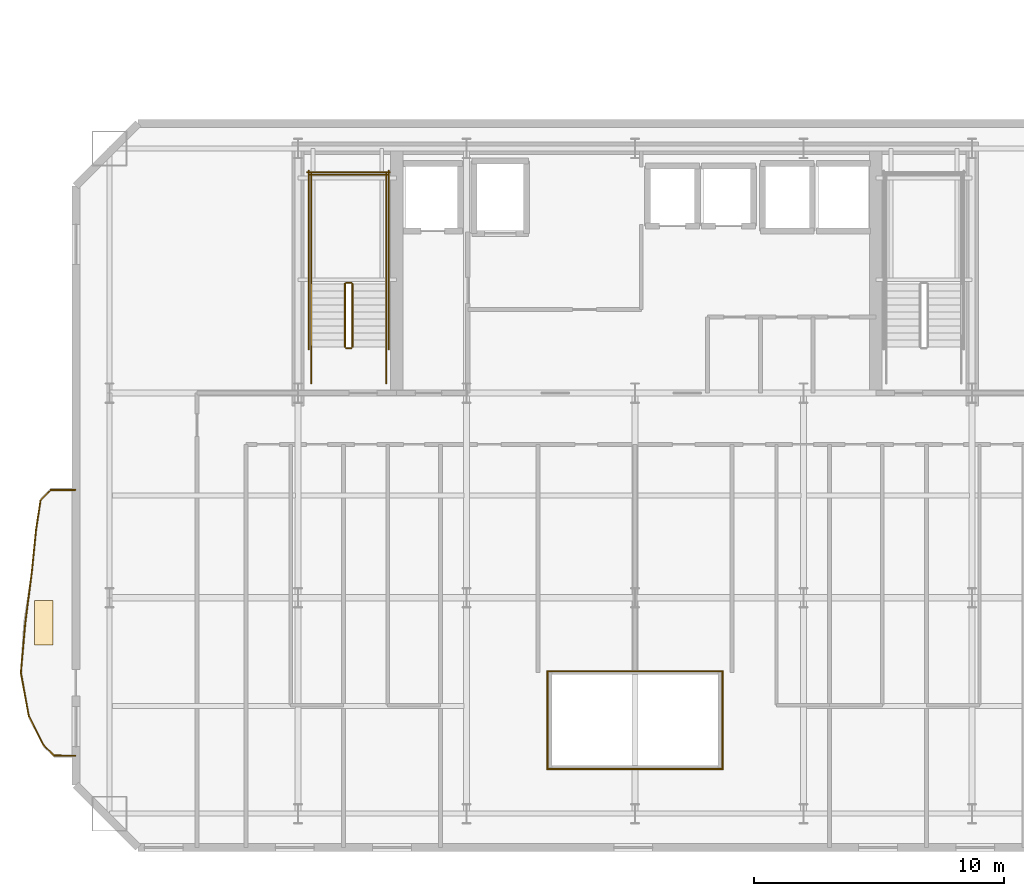
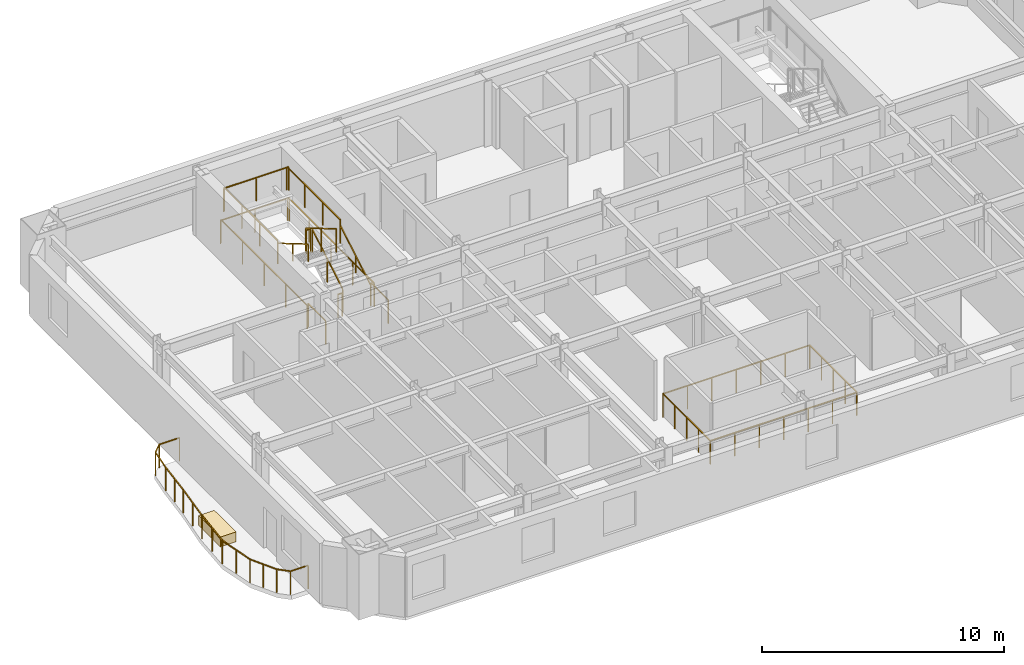
# One storey, part 11 of 14: 28 railings, 1 covering.
"""IFC4 building model written with IfcOpenShell, lengths in metres."""

from ifc_helpers import new_model, si_unit, direction, frame, origin, origin_2d, place, context, subcontext, project, spatial, rectangle, extrude, material, layer, layer_set, type_object, element, save


model = new_model("IFC4")

# Units and contexts
model_context = context("Model", 3, precision=1e-05, world=origin(), true_north=direction((0.0, 1.0)))
body_context = subcontext(model_context, "Body", "Model", "MODEL_VIEW")
ifc_project = project(units=[si_unit("LENGTHUNIT", "METRE"), si_unit("AREAUNIT", "SQUARE_METRE"), si_unit("VOLUMEUNIT", "CUBIC_METRE"), si_unit("PLANEANGLEUNIT", "RADIAN"), si_unit("MASSUNIT", "GRAM", prefix="KILO")], contexts=[model_context])

# Site, building, storey
site_placement = place(None, origin())
site = spatial("IfcSite", under=ifc_project, at=site_placement, CompositionType="ELEMENT")
building_placement = place(site_placement, origin())
building = spatial("IfcBuilding", under=site, at=building_placement, Name="Haevon Station Towers", CompositionType="ELEMENT")
storey_placement = place(building_placement, frame((0.0, 0.0, 119.699951171875)))
storey = spatial("IfcBuildingStorey", under=building, at=storey_placement, Name="L32", CompositionType="ELEMENT", Elevation=119.699951171875)

# Railings
ifc_material_1 = material(Name="Steel S355", Category="steel")
railing_type_1 = type_object("IfcRailingType", Name="BAL-ATR1200", PredefinedType="BALUSTRADE", material=ifc_material_1)
railing_1_placement = place(storey_placement, frame((33.995361328125, 23.141357421875, 0.0)))
element("IfcRailing", 1, at=railing_1_placement, inside=storey, type_object=railing_type_1, Name="L32 Atrium Void Balustrade 1", PredefinedType="BALUSTRADE", context=body_context, shape_type="SweptSolid", body=[
    extrude(rectangle(XDim=0.048095703125, YDim=0.048095703125, at=origin_2d()), frame((0.0, 0.0, 1.17578125), z_axis=(1.0, 0.0, 0.0), x_axis=(0.0, 1.0, 0.0)), (0.0, 0.0, 1.0), 7.00927734375),
    extrude(rectangle(XDim=0.0419921875, YDim=0.0419921875, at=origin_2d()), origin(), (0.0, 0.0, 1.0), 1.15185546875),
    extrude(rectangle(XDim=0.0419921875, YDim=0.0419921875, at=origin_2d()), frame((1.168212890625, 0.0, 0.0)), (0.0, 0.0, 1.0), 1.15185546875),
    extrude(rectangle(XDim=0.0419921875, YDim=0.0419921875, at=origin_2d()), frame((2.33642578125, 0.0, 0.0)), (0.0, 0.0, 1.0), 1.15185546875),
    extrude(rectangle(XDim=0.0419921875, YDim=0.0419921875, at=origin_2d()), frame((3.504638671875, 0.0, 0.0)), (0.0, 0.0, 1.0), 1.15185546875),
    extrude(rectangle(XDim=0.0419921875, YDim=0.0419921875, at=origin_2d()), frame((4.6728515625, 0.0, 0.0)), (0.0, 0.0, 1.0), 1.15185546875),
    extrude(rectangle(XDim=0.0419921875, YDim=0.0419921875, at=origin_2d()), frame((5.841064453125, 0.0, 0.0)), (0.0, 0.0, 1.0), 1.15185546875),
    extrude(rectangle(XDim=0.0419921875, YDim=0.0419921875, at=origin_2d()), frame((7.00927734375, 0.0, 0.0)), (0.0, 0.0, 1.0), 1.15185546875),
])
railing_2_placement = place(storey_placement, frame((41.004638671875, 23.141357421875, 0.0)))
element("IfcRailing", 2, at=railing_2_placement, inside=storey, type_object=railing_type_1, Name="L32 Atrium Void Balustrade 2", PredefinedType="BALUSTRADE", context=body_context, shape_type="SweptSolid", body=[
    extrude(rectangle(XDim=0.048095703125, YDim=0.048095703125, at=origin_2d()), frame((0.0, 0.0, 1.17578125), z_axis=(0.0, 1.0, 0.0), x_axis=(-1.0, 0.0, 0.0)), (0.0, 0.0, 1.0), 3.917236328125),
    extrude(rectangle(XDim=0.0419921875, YDim=0.0419921875, at=origin_2d()), origin(), (0.0, 0.0, 1.0), 1.15185546875),
    extrude(rectangle(XDim=0.0419921875, YDim=0.0419921875, at=origin_2d()), frame((0.0, 0.979248046875, 0.0)), (0.0, 0.0, 1.0), 1.15185546875),
    extrude(rectangle(XDim=0.0419921875, YDim=0.0419921875, at=origin_2d()), frame((0.0, 1.95849609375, 0.0)), (0.0, 0.0, 1.0), 1.15185546875),
    extrude(rectangle(XDim=0.0419921875, YDim=0.0419921875, at=origin_2d()), frame((0.0, 2.93798828125, 0.0)), (0.0, 0.0, 1.0), 1.15185546875),
    extrude(rectangle(XDim=0.0419921875, YDim=0.0419921875, at=origin_2d()), frame((0.0, 3.917236328125, 0.0)), (0.0, 0.0, 1.0), 1.15185546875),
])
railing_3_placement = place(storey_placement, frame((41.004638671875, 27.05859375, 0.0)))
element("IfcRailing", 3, at=railing_3_placement, inside=storey, type_object=railing_type_1, Name="L32 Atrium Void Balustrade 3", PredefinedType="BALUSTRADE", context=body_context, shape_type="SweptSolid", body=[
    extrude(rectangle(XDim=0.048095703125, YDim=0.048095703125, at=origin_2d()), frame((0.0, 0.0, 1.17578125), z_axis=(-1.0, 0.0, 0.0), x_axis=(0.0, -1.0, 0.0)), (0.0, 0.0, 1.0), 7.00927734375),
    extrude(rectangle(XDim=0.0419921875, YDim=0.0419921875, at=origin_2d()), origin(), (0.0, 0.0, 1.0), 1.15185546875),
    extrude(rectangle(XDim=0.0419921875, YDim=0.0419921875, at=origin_2d()), frame((-1.168212890625, 0.0, 0.0)), (0.0, 0.0, 1.0), 1.15185546875),
    extrude(rectangle(XDim=0.0419921875, YDim=0.0419921875, at=origin_2d()), frame((-2.33642578125, 0.0, 0.0)), (0.0, 0.0, 1.0), 1.15185546875),
    extrude(rectangle(XDim=0.0419921875, YDim=0.0419921875, at=origin_2d()), frame((-3.504638671875, 0.0, 0.0)), (0.0, 0.0, 1.0), 1.15185546875),
    extrude(rectangle(XDim=0.0419921875, YDim=0.0419921875, at=origin_2d()), frame((-4.6728515625, 0.0, 0.0)), (0.0, 0.0, 1.0), 1.15185546875),
    extrude(rectangle(XDim=0.0419921875, YDim=0.0419921875, at=origin_2d()), frame((-5.841064453125, 0.0, 0.0)), (0.0, 0.0, 1.0), 1.15185546875),
    extrude(rectangle(XDim=0.0419921875, YDim=0.0419921875, at=origin_2d()), frame((-7.00927734375, 0.0, 0.0)), (0.0, 0.0, 1.0), 1.15185546875),
])
railing_4_placement = place(storey_placement, frame((33.995361328125, 27.05859375, 0.0)))
element("IfcRailing", 4, at=railing_4_placement, inside=storey, type_object=railing_type_1, Name="L32 Atrium Void Balustrade 4", PredefinedType="BALUSTRADE", context=body_context, shape_type="SweptSolid", body=[
    extrude(rectangle(XDim=0.048095703125, YDim=0.048095703125, at=origin_2d()), frame((0.0, 0.0, 1.17578125), z_axis=(0.0, -1.0, 0.0), x_axis=(1.0, 0.0, 0.0)), (0.0, 0.0, 1.0), 3.917236328125),
    extrude(rectangle(XDim=0.0419921875, YDim=0.0419921875, at=origin_2d()), origin(), (0.0, 0.0, 1.0), 1.15185546875),
    extrude(rectangle(XDim=0.0419921875, YDim=0.0419921875, at=origin_2d()), frame((0.0, -0.979248046875, 0.0)), (0.0, 0.0, 1.0), 1.15185546875),
    extrude(rectangle(XDim=0.0419921875, YDim=0.0419921875, at=origin_2d()), frame((0.0, -1.95849609375, 0.0)), (0.0, 0.0, 1.0), 1.15185546875),
    extrude(rectangle(XDim=0.0419921875, YDim=0.0419921875, at=origin_2d()), frame((0.0, -2.93798828125, 0.0)), (0.0, 0.0, 1.0), 1.15185546875),
    extrude(rectangle(XDim=0.0419921875, YDim=0.0419921875, at=origin_2d()), frame((0.0, -3.917236328125, 0.0)), (0.0, 0.0, 1.0), 1.15185546875),
])
railing_type_2 = type_object("IfcRailingType", Name="GRD-EXT1200", PredefinedType="GUARDRAIL", material=ifc_material_1)
railing_5_placement = place(storey_placement, frame((15.076416015625, 34.322265625, 0.0)))
element("IfcRailing", 5, at=railing_5_placement, inside=storey, type_object=railing_type_2, Name="L32 Perimeter Guardrail 1", PredefinedType="GUARDRAIL", context=body_context, shape_type="SweptSolid", body=[
    extrude(rectangle(XDim=0.048095703125, YDim=0.048095703125, at=origin_2d()), frame((0.0, 0.0, 1.17578125), z_axis=(-0.999997457331, -0.002255068182, 0.0), x_axis=(0.002255068182, -0.999997457331, 0.0)), (0.0, 0.0, 1.0), 0.974365234375),
    extrude(rectangle(XDim=0.0419921875, YDim=0.0419921875, at=origin_2d()), origin(), (0.0, 0.0, 1.0), 1.15185546875),
    extrude(rectangle(XDim=0.0419921875, YDim=0.0419921875, at=origin_2d()), frame((-0.974365234375, -0.002197265625, 0.0)), (0.0, 0.0, 1.0), 1.15185546875),
])
railing_6_placement = place(storey_placement, frame((14.10205078125, 34.320068359375, 0.0)))
element("IfcRailing", 6, at=railing_6_placement, inside=storey, type_object=railing_type_2, Name="L32 Perimeter Guardrail 2", PredefinedType="GUARDRAIL", context=body_context, shape_type="SweptSolid", body=[
    extrude(rectangle(XDim=0.048095703125, YDim=0.048095703125, at=origin_2d()), frame((0.0, 0.0, 1.17578125), z_axis=(-0.710855721551, -0.703337858456, 0.0), x_axis=(0.703337858456, -0.710855721551, 0.0)), (0.0, 0.0, 1.0), 0.58447265625),
    extrude(rectangle(XDim=0.0419921875, YDim=0.0419921875, at=origin_2d()), origin(), (0.0, 0.0, 1.0), 1.15185546875),
    extrude(rectangle(XDim=0.0419921875, YDim=0.0419921875, at=origin_2d()), frame((-0.41552734375, -0.4111328125, 0.0)), (0.0, 0.0, 1.0), 1.15185546875),
])
railing_7_placement = place(storey_placement, frame((13.6865234375, 33.908935546875, 0.0)))
element("IfcRailing", 7, at=railing_7_placement, inside=storey, type_object=railing_type_2, Name="L32 Perimeter Guardrail 3", PredefinedType="GUARDRAIL", context=body_context, shape_type="SweptSolid", body=[
    extrude(rectangle(XDim=0.048095703125, YDim=0.048095703125, at=origin_2d()), frame((0.0, 0.0, 1.17578125), z_axis=(-0.151545873125, -0.988450225524, 0.0), x_axis=(0.988450225524, -0.151545873125, 0.0)), (0.0, 0.0, 1.0), 1.18408203125),
    extrude(rectangle(XDim=0.0419921875, YDim=0.0419921875, at=origin_2d()), origin(), (0.0, 0.0, 1.0), 1.15185546875),
    extrude(rectangle(XDim=0.0419921875, YDim=0.0419921875, at=origin_2d()), frame((-0.179443359375, -1.17041015625, 0.0)), (0.0, 0.0, 1.0), 1.15185546875),
])
railing_8_placement = place(storey_placement, frame((13.507080078125, 32.738525390625, 0.0)))
element("IfcRailing", 8, at=railing_8_placement, inside=storey, type_object=railing_type_2, Name="L32 Perimeter Guardrail 4", PredefinedType="GUARDRAIL", context=body_context, shape_type="SweptSolid", body=[
    extrude(rectangle(XDim=0.048095703125, YDim=0.048095703125, at=origin_2d()), frame((0.0, 0.0, 1.17578125), z_axis=(-0.100369612016, -0.994950220355, 0.0), x_axis=(0.994950220355, -0.100369612016, 0.0)), (0.0, 0.0, 1.0), 1.758544921875),
    extrude(rectangle(XDim=0.0419921875, YDim=0.0419921875, at=origin_2d()), origin(), (0.0, 0.0, 1.0), 1.15185546875),
    extrude(rectangle(XDim=0.0419921875, YDim=0.0419921875, at=origin_2d()), frame((-0.08837890625, -0.875, 0.0)), (0.0, 0.0, 1.0), 1.15185546875),
    extrude(rectangle(XDim=0.0419921875, YDim=0.0419921875, at=origin_2d()), frame((-0.176513671875, -1.749755859375, 0.0)), (0.0, 0.0, 1.0), 1.15185546875),
])
railing_9_placement = place(storey_placement, frame((13.33056640625, 30.98876953125, 0.0)))
element("IfcRailing", 9, at=railing_9_placement, inside=storey, type_object=railing_type_2, Name="L32 Perimeter Guardrail 5", PredefinedType="GUARDRAIL", context=body_context, shape_type="SweptSolid", body=[
    extrude(rectangle(XDim=0.048095703125, YDim=0.048095703125, at=origin_2d()), frame((0.0, 0.0, 1.17578125), z_axis=(-0.127480675673, -0.991841054469, 0.0), x_axis=(0.991841054469, -0.127480675673, 0.0)), (0.0, 0.0, 1.0), 2.005126953125),
    extrude(rectangle(XDim=0.0419921875, YDim=0.0419921875, at=origin_2d()), origin(), (0.0, 0.0, 1.0), 1.15185546875),
    extrude(rectangle(XDim=0.0419921875, YDim=0.0419921875, at=origin_2d()), frame((-0.1279296875, -0.994384765625, 0.0)), (0.0, 0.0, 1.0), 1.15185546875),
    extrude(rectangle(XDim=0.0419921875, YDim=0.0419921875, at=origin_2d()), frame((-0.255615234375, -1.98876953125, 0.0)), (0.0, 0.0, 1.0), 1.15185546875),
])
railing_10_placement = place(storey_placement, frame((13.074951171875, 29.0, 0.0)))
element("IfcRailing", 10, at=railing_10_placement, inside=storey, type_object=railing_type_2, Name="L32 Perimeter Guardrail 6", PredefinedType="GUARDRAIL", context=body_context, shape_type="SweptSolid", body=[
    extrude(rectangle(XDim=0.048095703125, YDim=0.048095703125, at=origin_2d()), frame((0.0, 0.0, 1.17578125), z_axis=(-0.088918972693, -0.996038862844, 0.0), x_axis=(0.996038862844, -0.088918972693, 0.0)), (0.0, 0.0, 1.0), 2.00146484375),
    extrude(rectangle(XDim=0.0419921875, YDim=0.0419921875, at=origin_2d()), origin(), (0.0, 0.0, 1.0), 1.15185546875),
    extrude(rectangle(XDim=0.0419921875, YDim=0.0419921875, at=origin_2d()), frame((-0.0888671875, -0.996826171875, 0.0)), (0.0, 0.0, 1.0), 1.15185546875),
    extrude(rectangle(XDim=0.0419921875, YDim=0.0419921875, at=origin_2d()), frame((-0.177978515625, -1.99365234375, 0.0)), (0.0, 0.0, 1.0), 1.15185546875),
])
railing_11_placement = place(storey_placement, frame((12.89697265625, 27.00634765625, 0.0)))
element("IfcRailing", 11, at=railing_11_placement, inside=storey, type_object=railing_type_2, Name="L32 Perimeter Guardrail 7", PredefinedType="GUARDRAIL", context=body_context, shape_type="SweptSolid", body=[
    extrude(rectangle(XDim=0.048095703125, YDim=0.048095703125, at=origin_2d()), frame((0.0, 0.0, 1.17578125), z_axis=(0.179418162839, -0.983772902068, 0.0), x_axis=(0.983772902068, 0.179418162839, 0.0)), (0.0, 0.0, 1.0), 1.7744140625),
    extrude(rectangle(XDim=0.0419921875, YDim=0.0419921875, at=origin_2d()), origin(), (0.0, 0.0, 1.0), 1.15185546875),
    extrude(rectangle(XDim=0.0419921875, YDim=0.0419921875, at=origin_2d()), frame((0.1591796875, -0.872802734375, 0.0)), (0.0, 0.0, 1.0), 1.15185546875),
    extrude(rectangle(XDim=0.0419921875, YDim=0.0419921875, at=origin_2d()), frame((0.318359375, -1.74560546875, 0.0)), (0.0, 0.0, 1.0), 1.15185546875),
])
railing_12_placement = place(storey_placement, frame((13.21533203125, 25.2607421875, 0.0)))
element("IfcRailing", 12, at=railing_12_placement, inside=storey, type_object=railing_type_2, Name="L32 Perimeter Guardrail 8", PredefinedType="GUARDRAIL", context=body_context, shape_type="SweptSolid", body=[
    extrude(rectangle(XDim=0.048095703125, YDim=0.048095703125, at=origin_2d()), frame((0.0, 0.0, 1.17578125), z_axis=(0.452787965093, -0.891618224728, 0.0), x_axis=(0.891618224728, 0.452787965093, 0.0)), (0.0, 0.0, 1.0), 1.311767578125),
    extrude(rectangle(XDim=0.0419921875, YDim=0.0419921875, at=origin_2d()), origin(), (0.0, 0.0, 1.0), 1.15185546875),
    extrude(rectangle(XDim=0.0419921875, YDim=0.0419921875, at=origin_2d()), frame((0.296875, -0.5849609375, 0.0)), (0.0, 0.0, 1.0), 1.15185546875),
    extrude(rectangle(XDim=0.0419921875, YDim=0.0419921875, at=origin_2d()), frame((0.593994140625, -1.169677734375, 0.0)), (0.0, 0.0, 1.0), 1.15185546875),
])
railing_13_placement = place(storey_placement, frame((13.809326171875, 24.091064453125, 0.0)))
element("IfcRailing", 13, at=railing_13_placement, inside=storey, type_object=railing_type_2, Name="L32 Perimeter Guardrail 9", PredefinedType="GUARDRAIL", context=body_context, shape_type="SweptSolid", body=[
    extrude(rectangle(XDim=0.048095703125, YDim=0.048095703125, at=origin_2d()), frame((0.0, 0.0, 1.17578125), z_axis=(0.721936917326, -0.691958876959, 0.0), x_axis=(0.691958876959, 0.721936917326, 0.0)), (0.0, 0.0, 1.0), 0.594482421875),
    extrude(rectangle(XDim=0.0419921875, YDim=0.0419921875, at=origin_2d()), origin(), (0.0, 0.0, 1.0), 1.15185546875),
    extrude(rectangle(XDim=0.0419921875, YDim=0.0419921875, at=origin_2d()), frame((0.42919921875, -0.411376953125, 0.0)), (0.0, 0.0, 1.0), 1.15185546875),
])
railing_14_placement = place(storey_placement, frame((14.238525390625, 23.6796875, 0.0)))
element("IfcRailing", 14, at=railing_14_placement, inside=storey, type_object=railing_type_2, Name="L32 Perimeter Guardrail 10", PredefinedType="GUARDRAIL", context=body_context, shape_type="SweptSolid", body=[
    extrude(rectangle(XDim=0.048095703125, YDim=0.048095703125, at=origin_2d()), frame((0.0, 0.0, 1.17578125), z_axis=(0.999997283225, -0.002330995998, 0.0), x_axis=(0.002330995998, 0.999997283225, 0.0)), (0.0, 0.0, 1.0), 0.837890625),
    extrude(rectangle(XDim=0.0419921875, YDim=0.0419921875, at=origin_2d()), origin(), (0.0, 0.0, 1.0), 1.15185546875),
    extrude(rectangle(XDim=0.0419921875, YDim=0.0419921875, at=origin_2d()), frame((0.837890625, -0.001953125, 0.0)), (0.0, 0.0, 1.0), 1.15185546875),
])
railing_type_3 = type_object("IfcRailingType", Name="GRD-STR1200", PredefinedType="GUARDRAIL", material=ifc_material_1)
railing_15_placement = place(storey_placement, frame((26.179931640625, 40.050048828125, 0.1650390625)))
element("IfcRailing", 15, at=railing_15_placement, inside=storey, type_object=railing_type_3, Name="L32 ST1 Stair Guard 1", PredefinedType="GUARDRAIL", context=body_context, shape_type="SweptSolid", body=[
    extrude(rectangle(XDim=0.048095703125, YDim=0.048095703125, at=origin_2d()), frame((0.0, 0.0, 1.17578125), z_axis=(0.0, 0.86152411907, 0.507716645641), x_axis=(-1.0, 0.0, 0.0)), (0.0, 0.0, 1.0), 2.925048828125),
    extrude(rectangle(XDim=0.0419921875, YDim=0.0419921875, at=origin_2d()), origin(), (0.0, 0.0, 1.0), 1.15185546875),
    extrude(rectangle(XDim=0.0419921875, YDim=0.0419921875, at=origin_2d()), frame((0.0, 1.260009765625, 0.74267578125)), (0.0, 0.0, 1.0), 1.15185546875),
    extrude(rectangle(XDim=0.0419921875, YDim=0.0419921875, at=origin_2d()), frame((0.0, 2.52001953125, 1.485107421875)), (0.0, 0.0, 1.0), 1.15185546875),
])
railing_16_placement = place(storey_placement, frame((26.1298828125, 42.6201171875, 1.650146484375)))
element("IfcRailing", 16, at=railing_16_placement, inside=storey, type_object=railing_type_3, Name="L32 ST1 Stair Guard 2", PredefinedType="GUARDRAIL", context=body_context, shape_type="SweptSolid", body=[
    extrude(rectangle(XDim=0.048095703125, YDim=0.048095703125, at=origin_2d()), frame((0.0, 0.0, 1.17578125), z_axis=(-1.0, 0.0, 0.0), x_axis=(0.0, -1.0, 0.0)), (0.0, 0.0, 1.0), 0.199951171875),
    extrude(rectangle(XDim=0.0419921875, YDim=0.0419921875, at=origin_2d()), origin(), (0.0, 0.0, 1.0), 1.15185546875),
    extrude(rectangle(XDim=0.0419921875, YDim=0.0419921875, at=origin_2d()), frame((-0.199951171875, 0.0, 0.0)), (0.0, 0.0, 1.0), 1.15185546875),
])
for number, where, name in (
    (17, (27.530029296875, 42.570068359375, 1.650146484375), "L32 ST1 Stair Guard 3"),
    (18, (24.530029296875, 42.570068359375, 1.650146484375), "L32 ST1 Stair Guard 4"),
):
    element("IfcRailing", number, at=place(storey_placement, frame(where)), inside=storey, type_object=railing_type_3, Name=name, PredefinedType="GUARDRAIL", context=body_context, shape_type="SweptSolid", body=[
        extrude(rectangle(XDim=0.048095703125, YDim=0.048095703125, at=origin_2d()), frame((0.0, 0.0, 1.17578125), z_axis=(0.0, 1.0, 0.0), x_axis=(-1.0, 0.0, 0.0)), (0.0, 0.0, 1.0), 4.429931640625),
        extrude(rectangle(XDim=0.0419921875, YDim=0.0419921875, at=origin_2d()), origin(), (0.0, 0.0, 1.0), 1.15185546875),
        extrude(rectangle(XDim=0.0419921875, YDim=0.0419921875, at=origin_2d()), frame((0.0, 1.4765625, 0.0)), (0.0, 0.0, 1.0), 1.15185546875),
        extrude(rectangle(XDim=0.0419921875, YDim=0.0419921875, at=origin_2d()), frame((0.0, 2.953369140625, 0.0)), (0.0, 0.0, 1.0), 1.15185546875),
        extrude(rectangle(XDim=0.0419921875, YDim=0.0419921875, at=origin_2d()), frame((0.0, 4.429931640625, 0.0)), (0.0, 0.0, 1.0), 1.15185546875),
    ])
railing_17_placement = place(storey_placement, frame((27.580078125, 46.949951171875, 1.650146484375)))
element("IfcRailing", 19, at=railing_17_placement, inside=storey, type_object=railing_type_3, Name="L32 ST1 Stair Guard 5", PredefinedType="GUARDRAIL", context=body_context, shape_type="SweptSolid", body=[
    extrude(rectangle(XDim=0.048095703125, YDim=0.048095703125, at=origin_2d()), frame((0.0, 0.0, 1.17578125), z_axis=(-1.0, 0.0, 0.0), x_axis=(0.0, -1.0, 0.0)), (0.0, 0.0, 1.0), 3.10009765625),
    extrude(rectangle(XDim=0.0419921875, YDim=0.0419921875, at=origin_2d()), origin(), (0.0, 0.0, 1.0), 1.15185546875),
    extrude(rectangle(XDim=0.0419921875, YDim=0.0419921875, at=origin_2d()), frame((-1.550048828125, 0.0, 0.0)), (0.0, 0.0, 1.0), 1.15185546875),
    extrude(rectangle(XDim=0.0419921875, YDim=0.0419921875, at=origin_2d()), frame((-3.10009765625, 0.0, 0.0)), (0.0, 0.0, 1.0), 1.15185546875),
])
railing_18_placement = place(storey_placement, frame((25.8798828125, 42.570068359375, 1.81494140625)))
element("IfcRailing", 20, at=railing_18_placement, inside=storey, type_object=railing_type_3, Name="L32 ST1 Stair Guard 6", PredefinedType="GUARDRAIL", context=body_context, shape_type="SweptSolid", body=[
    extrude(rectangle(XDim=0.048095703125, YDim=0.048095703125, at=origin_2d()), frame((0.0, 0.0, 1.17578125), z_axis=(0.0, -0.86152411907, 0.507716645641), x_axis=(1.0, 0.0, 0.0)), (0.0, 0.0, 1.0), 2.925048828125),
    extrude(rectangle(XDim=0.0419921875, YDim=0.0419921875, at=origin_2d()), origin(), (0.0, 0.0, 1.0), 1.15185546875),
    extrude(rectangle(XDim=0.0419921875, YDim=0.0419921875, at=origin_2d()), frame((0.0, -1.260009765625, 0.74267578125)), (0.0, 0.0, 1.0), 1.15185546875),
    extrude(rectangle(XDim=0.0419921875, YDim=0.0419921875, at=origin_2d()), frame((0.0, -2.52001953125, 1.485107421875)), (0.0, 0.0, 1.0), 1.15185546875),
])
railing_19_placement = place(storey_placement, frame((26.1298828125, 40.0, 0.0)))
element("IfcRailing", 21, at=railing_19_placement, inside=storey, type_object=railing_type_3, Name="L32 ST1 Stair Guard 7", PredefinedType="GUARDRAIL", context=body_context, shape_type="SweptSolid", body=[
    extrude(rectangle(XDim=0.048095703125, YDim=0.048095703125, at=origin_2d()), frame((0.0, 0.0, 1.17578125), z_axis=(-1.0, 0.0, 0.0), x_axis=(0.0, -1.0, 0.0)), (0.0, 0.0, 1.0), 0.199951171875),
    extrude(rectangle(XDim=0.0419921875, YDim=0.0419921875, at=origin_2d()), origin(), (0.0, 0.0, 1.0), 1.15185546875),
    extrude(rectangle(XDim=0.0419921875, YDim=0.0419921875, at=origin_2d()), frame((-0.199951171875, 0.0, 0.0)), (0.0, 0.0, 1.0), 1.15185546875),
])
for number, where, name in (
    (22, (27.530029296875, 38.60009765625, 0.0), "L32 ST1 Stair Guard 8"),
    (23, (24.530029296875, 38.60009765625, 0.0), "L32 ST1 Stair Guard 9"),
):
    element("IfcRailing", number, at=place(storey_placement, frame(where)), inside=storey, type_object=railing_type_3, Name=name, PredefinedType="GUARDRAIL", context=body_context, shape_type="SweptSolid", body=[
        extrude(rectangle(XDim=0.048095703125, YDim=0.048095703125, at=origin_2d()), frame((0.0, 0.0, 1.17578125), z_axis=(0.0, 1.0, 0.0), x_axis=(-1.0, 0.0, 0.0)), (0.0, 0.0, 1.0), 1.449951171875),
        extrude(rectangle(XDim=0.0419921875, YDim=0.0419921875, at=origin_2d()), origin(), (0.0, 0.0, 1.0), 1.15185546875),
        extrude(rectangle(XDim=0.0419921875, YDim=0.0419921875, at=origin_2d()), frame((0.0, 1.449951171875, 0.0)), (0.0, 0.0, 1.0), 1.15185546875),
    ])
for number, where, name in (
    (24, (27.6298828125, 39.949951171875, 0.0), "L32 ST1 Stair Guard 10"),
    (25, (24.429931640625, 39.949951171875, 0.0), "L32 ST1 Stair Guard 11"),
):
    element("IfcRailing", number, at=place(storey_placement, frame(where)), inside=storey, type_object=railing_type_3, Name=name, PredefinedType="GUARDRAIL", context=body_context, shape_type="SweptSolid", body=[
        extrude(rectangle(XDim=0.048095703125, YDim=0.048095703125, at=origin_2d()), frame((0.0, 0.0, 1.17578125), z_axis=(0.0, 1.0, 0.0), x_axis=(-1.0, 0.0, 0.0)), (0.0, 0.0, 1.0), 7.150146484375),
        extrude(rectangle(XDim=0.0419921875, YDim=0.0419921875, at=origin_2d()), origin(), (0.0, 0.0, 1.0), 1.15185546875),
        extrude(rectangle(XDim=0.0419921875, YDim=0.0419921875, at=origin_2d()), frame((0.0, 1.78759765625, 0.0)), (0.0, 0.0, 1.0), 1.15185546875),
        extrude(rectangle(XDim=0.0419921875, YDim=0.0419921875, at=origin_2d()), frame((0.0, 3.5751953125, 0.0)), (0.0, 0.0, 1.0), 1.15185546875),
        extrude(rectangle(XDim=0.0419921875, YDim=0.0419921875, at=origin_2d()), frame((0.0, 5.362548828125, 0.0)), (0.0, 0.0, 1.0), 1.15185546875),
        extrude(rectangle(XDim=0.0419921875, YDim=0.0419921875, at=origin_2d()), frame((0.0, 7.150146484375, 0.0)), (0.0, 0.0, 1.0), 1.15185546875),
    ])
railing_20_placement = place(storey_placement, frame((27.679931640625, 47.050048828125, 0.0)))
element("IfcRailing", 26, at=railing_20_placement, inside=storey, type_object=railing_type_3, Name="L32 ST1 Stair Guard 12", PredefinedType="GUARDRAIL", context=body_context, shape_type="SweptSolid", body=[
    extrude(rectangle(XDim=0.048095703125, YDim=0.048095703125, at=origin_2d()), frame((0.0, 0.0, 1.17578125), z_axis=(-1.0, 0.0, 0.0), x_axis=(0.0, -1.0, 0.0)), (0.0, 0.0, 1.0), 3.300048828125),
    extrude(rectangle(XDim=0.0419921875, YDim=0.0419921875, at=origin_2d()), origin(), (0.0, 0.0, 1.0), 1.15185546875),
    extrude(rectangle(XDim=0.0419921875, YDim=0.0419921875, at=origin_2d()), frame((-1.64990234375, 0.0, 0.0)), (0.0, 0.0, 1.0), 1.15185546875),
    extrude(rectangle(XDim=0.0419921875, YDim=0.0419921875, at=origin_2d()), frame((-3.300048828125, 0.0, 0.0)), (0.0, 0.0, 1.0), 1.15185546875),
])
railing_type_4 = type_object("IfcRailingType", Name="HND-STR900", PredefinedType="HANDRAIL", material=ifc_material_1)
railing_21_placement = place(storey_placement, frame((27.530029296875, 40.050048828125, 0.1650390625)))
element("IfcRailing", 27, at=railing_21_placement, inside=storey, type_object=railing_type_4, Name="L32 ST1 Stair Handrail 1", PredefinedType="HANDRAIL", context=body_context, shape_type="SweptSolid", body=[
    extrude(rectangle(XDim=0.048095703125, YDim=0.048095703125, at=origin_2d()), frame((0.0, 0.0, 0.8759765625), z_axis=(0.0, 0.86152411907, 0.507716645641), x_axis=(-1.0, 0.0, 0.0)), (0.0, 0.0, 1.0), 2.925048828125),
    extrude(rectangle(XDim=0.0419921875, YDim=0.0419921875, at=origin_2d()), origin(), (0.0, 0.0, 1.0), 0.851806640625),
    extrude(rectangle(XDim=0.0419921875, YDim=0.0419921875, at=origin_2d()), frame((0.0, 1.260009765625, 0.74267578125)), (0.0, 0.0, 1.0), 0.851806640625),
    extrude(rectangle(XDim=0.0419921875, YDim=0.0419921875, at=origin_2d()), frame((0.0, 2.52001953125, 1.485107421875)), (0.0, 0.0, 1.0), 0.851806640625),
])
railing_22_placement = place(storey_placement, frame((24.530029296875, 42.570068359375, 1.81494140625)))
element("IfcRailing", 28, at=railing_22_placement, inside=storey, type_object=railing_type_4, Name="L32 ST1 Stair Handrail 2", PredefinedType="HANDRAIL", context=body_context, shape_type="SweptSolid", body=[
    extrude(rectangle(XDim=0.048095703125, YDim=0.048095703125, at=origin_2d()), frame((0.0, 0.0, 0.8759765625), z_axis=(0.0, -0.86152411907, 0.507716645641), x_axis=(1.0, 0.0, 0.0)), (0.0, 0.0, 1.0), 2.925048828125),
    extrude(rectangle(XDim=0.0419921875, YDim=0.0419921875, at=origin_2d()), origin(), (0.0, 0.0, 1.0), 0.851806640625),
    extrude(rectangle(XDim=0.0419921875, YDim=0.0419921875, at=origin_2d()), frame((0.0, -1.260009765625, 0.74267578125)), (0.0, 0.0, 1.0), 0.851806640625),
    extrude(rectangle(XDim=0.0419921875, YDim=0.0419921875, at=origin_2d()), frame((0.0, -2.52001953125, 1.485107421875)), (0.0, 0.0, 1.0), 0.851806640625),
])

# Covering
ifc_material_2 = material(Name="Architectural planter GRC", Category="concrete")
ifc_layer = layer(ifc_material_2, 0.550048828125)
ifc_layer_set = layer_set([ifc_layer], Name="Architectural planter GRC")
covering_type = type_object("IfcCoveringType", Name="PLN-GRC550", PredefinedType="MOLDING", material=ifc_layer_set)
covering_placement = place(storey_placement, frame((13.809814453125, 29.0, 0.0), z_axis=(0.0, 0.0, 1.0), x_axis=(1.0, 0.0, 0.0)))
element("IfcCovering", 29, at=covering_placement, inside=storey, type_object=covering_type, Name="Tower 1 L32 Scalloped Balcony PLANTER", PredefinedType="MOLDING", context=body_context, shape_type="SweptSolid", body=[
    extrude(rectangle(XDim=0.75, YDim=1.800048828125, at=origin_2d()), origin(), (0.0, 0.0, 1.0), 0.5),
])

save(model, "model.ifc")
